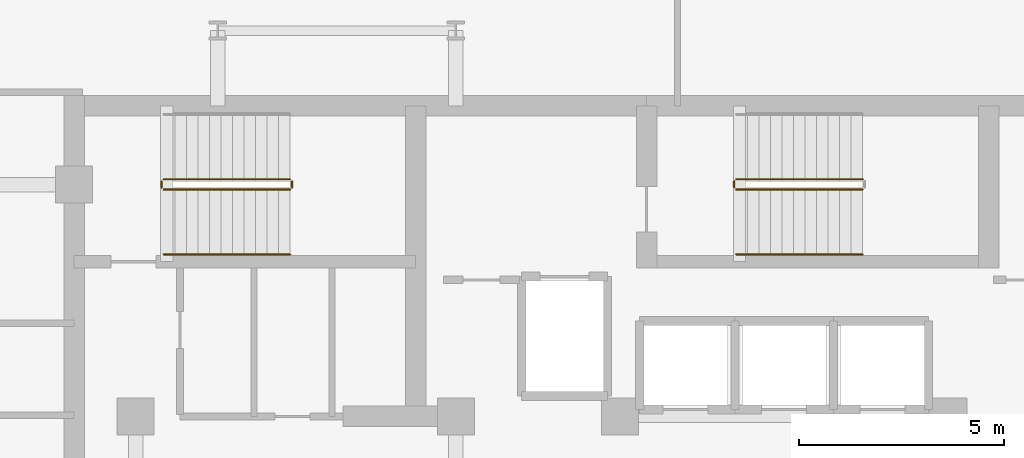
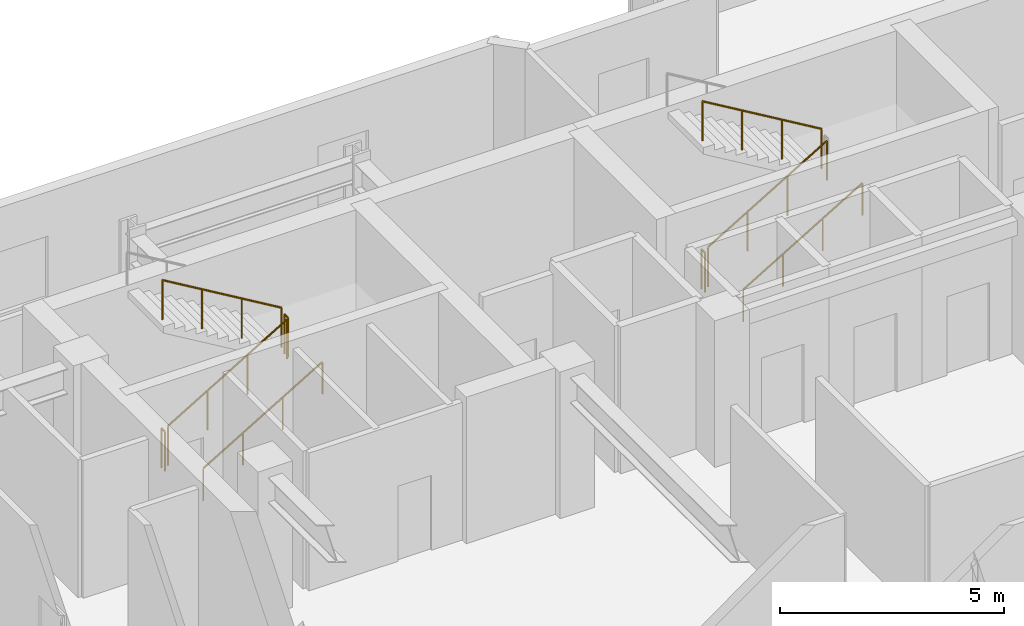
# One storey, part 9 of 11: 9 railings.
"""IFC4 building model written with IfcOpenShell, lengths in metres."""

from ifc_helpers import new_model, si_unit, direction, frame, origin, origin_2d, place, context, subcontext, project, spatial, circle, extrude, material, type_object, element, save


model = new_model("IFC4")

# Units and contexts
model_context = context("Model", 3, precision=1e-05, world=origin(), true_north=direction((0.0, 1.0)))
body_context = subcontext(model_context, "Body", "Model", "MODEL_VIEW")
ifc_project = project(units=[si_unit("LENGTHUNIT", "METRE"), si_unit("AREAUNIT", "SQUARE_METRE"), si_unit("VOLUMEUNIT", "CUBIC_METRE"), si_unit("PLANEANGLEUNIT", "RADIAN"), si_unit("MASSUNIT", "GRAM", prefix="KILO")], contexts=[model_context])

# Site, building, storey
site_placement = place(None, origin())
site = spatial("IfcSite", under=ifc_project, at=site_placement, CompositionType="ELEMENT")
building_placement = place(site_placement, origin())
building = spatial("IfcBuilding", under=site, at=building_placement, Name="Kestravale Grand Hotel", CompositionType="ELEMENT")
storey_placement = place(building_placement, frame((0.0, 0.0, 289.39990234375)))
storey = spatial("IfcBuildingStorey", under=building, at=storey_placement, Name="L72", CompositionType="ELEMENT", Elevation=289.39990234375)

# Railings
ifc_material_1 = material(Name="Painted tubular steel stair well guard", Category="steel")
railing_type_1 = type_object("IfcRailingType", Name="RL-ST-GRD1100", PredefinedType="GUARDRAIL", material=ifc_material_1)
railing_1_placement = place(storey_placement, frame((24.080078125, 38.280029296875, 0.166748046875)))
element("IfcRailing", 1, at=railing_1_placement, inside=storey, type_object=railing_type_1, Name="L72 ST-1 stair guard 1", PredefinedType="GUARDRAIL", context=body_context, shape_type="SweptSolid", body=[
    extrude(circle(Radius=0.02392578125, at=origin_2d()), frame((0.0, 0.0, 1.076171875), z_axis=(0.859290745958, 0.0, 0.51148745235), x_axis=(0.0, 1.0, 0.0)), (0.0, 0.0, 1.0), 3.584228515625),
    extrude(circle(Radius=0.02099609375, at=origin_2d()), origin(), (0.0, 0.0, 1.0), 1.052001953125),
    extrude(circle(Radius=0.02099609375, at=origin_2d()), frame((1.026611328125, 0.0, 0.611083984375)), (0.0, 0.0, 1.0), 1.052001953125),
    extrude(circle(Radius=0.02099609375, at=origin_2d()), frame((2.05322265625, 0.0, 1.22216796875)), (0.0, 0.0, 1.0), 1.052001953125),
    extrude(circle(Radius=0.02099609375, at=origin_2d()), frame((3.079833984375, 0.0, 1.833251953125)), (0.0, 0.0, 1.0), 1.052001953125),
])
railing_2_placement = place(storey_placement, frame((27.2099609375, 38.330078125, 2.0)))
element("IfcRailing", 2, at=railing_2_placement, inside=storey, type_object=railing_type_1, Name="L72 ST-1 stair guard 2", PredefinedType="GUARDRAIL", context=body_context, shape_type="SweptSolid", body=[
    extrude(circle(Radius=0.02392578125, at=origin_2d()), frame((0.0, 0.0, 1.076171875), z_axis=(0.0, 1.0, 0.0), x_axis=(-1.0, 0.0, 0.0)), (0.0, 0.0, 1.0), 0.14990234375),
    extrude(circle(Radius=0.02099609375, at=origin_2d()), origin(), (0.0, 0.0, 1.0), 1.052001953125),
    extrude(circle(Radius=0.02099609375, at=origin_2d()), frame((0.0, 0.14990234375, 0.0)), (0.0, 0.0, 1.0), 1.052001953125),
])
railing_3_placement = place(storey_placement, frame((27.159912109375, 38.530029296875, 2.166748046875)))
element("IfcRailing", 3, at=railing_3_placement, inside=storey, type_object=railing_type_1, Name="L72 ST-1 stair guard 3", PredefinedType="GUARDRAIL", context=body_context, shape_type="SweptSolid", body=[
    extrude(circle(Radius=0.02392578125, at=origin_2d()), frame((0.0, 0.0, 1.076171875), z_axis=(-0.859290745958, 0.0, 0.51148745235), x_axis=(0.0, -1.0, 0.0)), (0.0, 0.0, 1.0), 3.584228515625),
    extrude(circle(Radius=0.02099609375, at=origin_2d()), origin(), (0.0, 0.0, 1.0), 1.052001953125),
    extrude(circle(Radius=0.02099609375, at=origin_2d()), frame((-1.026611328125, 0.0, 0.611083984375)), (0.0, 0.0, 1.0), 1.052001953125),
    extrude(circle(Radius=0.02099609375, at=origin_2d()), frame((-2.05322265625, 0.0, 1.22216796875)), (0.0, 0.0, 1.0), 1.052001953125),
    extrude(circle(Radius=0.02099609375, at=origin_2d()), frame((-3.079833984375, 0.0, 1.833251953125)), (0.0, 0.0, 1.0), 1.052001953125),
])
railing_4_placement = place(storey_placement, frame((24.030029296875, 38.330078125, 0.0)))
element("IfcRailing", 4, at=railing_4_placement, inside=storey, type_object=railing_type_1, Name="L72 ST-1 stair guard 4", PredefinedType="GUARDRAIL", context=body_context, shape_type="SweptSolid", body=[
    extrude(circle(Radius=0.02392578125, at=origin_2d()), frame((0.0, 0.0, 1.076171875), z_axis=(0.0, 1.0, 0.0), x_axis=(-1.0, 0.0, 0.0)), (0.0, 0.0, 1.0), 0.14990234375),
    extrude(circle(Radius=0.02099609375, at=origin_2d()), origin(), (0.0, 0.0, 1.0), 1.052001953125),
    extrude(circle(Radius=0.02099609375, at=origin_2d()), frame((0.0, 0.14990234375, 0.0)), (0.0, 0.0, 1.0), 1.052001953125),
])
railing_5_placement = place(storey_placement, frame((38.030029296875, 38.280029296875, 0.166748046875)))
element("IfcRailing", 5, at=railing_5_placement, inside=storey, type_object=railing_type_1, Name="L72 ST-2 stair guard 1", PredefinedType="GUARDRAIL", context=body_context, shape_type="SweptSolid", body=[
    extrude(circle(Radius=0.02392578125, at=origin_2d()), frame((0.0, 0.0, 1.076171875), z_axis=(0.859308565015, 0.0, 0.511457515432), x_axis=(0.0, 1.0, 0.0)), (0.0, 0.0, 1.0), 3.58447265625),
    extrude(circle(Radius=0.02099609375, at=origin_2d()), origin(), (0.0, 0.0, 1.0), 1.052001953125),
    extrude(circle(Radius=0.02099609375, at=origin_2d()), frame((1.026611328125, 0.0, 0.611083984375)), (0.0, 0.0, 1.0), 1.052001953125),
    extrude(circle(Radius=0.02099609375, at=origin_2d()), frame((2.053466796875, 0.0, 1.22216796875)), (0.0, 0.0, 1.0), 1.052001953125),
    extrude(circle(Radius=0.02099609375, at=origin_2d()), frame((3.080078125, 0.0, 1.833251953125)), (0.0, 0.0, 1.0), 1.052001953125),
])
railing_6_placement = place(storey_placement, frame((41.110107421875, 38.530029296875, 2.166748046875)))
element("IfcRailing", 6, at=railing_6_placement, inside=storey, type_object=railing_type_1, Name="L72 ST-2 stair guard 3", PredefinedType="GUARDRAIL", context=body_context, shape_type="SweptSolid", body=[
    extrude(circle(Radius=0.02392578125, at=origin_2d()), frame((0.0, 0.0, 1.076171875), z_axis=(-0.859308565015, 0.0, 0.511457515432), x_axis=(0.0, -1.0, 0.0)), (0.0, 0.0, 1.0), 3.58447265625),
    extrude(circle(Radius=0.02099609375, at=origin_2d()), origin(), (0.0, 0.0, 1.0), 1.052001953125),
    extrude(circle(Radius=0.02099609375, at=origin_2d()), frame((-1.026611328125, 0.0, 0.611083984375)), (0.0, 0.0, 1.0), 1.052001953125),
    extrude(circle(Radius=0.02099609375, at=origin_2d()), frame((-2.053466796875, 0.0, 1.22216796875)), (0.0, 0.0, 1.0), 1.052001953125),
    extrude(circle(Radius=0.02099609375, at=origin_2d()), frame((-3.080078125, 0.0, 1.833251953125)), (0.0, 0.0, 1.0), 1.052001953125),
])
railing_7_placement = place(storey_placement, frame((37.97998046875, 38.330078125, 0.0)))
element("IfcRailing", 7, at=railing_7_placement, inside=storey, type_object=railing_type_1, Name="L72 ST-2 stair guard 4", PredefinedType="GUARDRAIL", context=body_context, shape_type="SweptSolid", body=[
    extrude(circle(Radius=0.02392578125, at=origin_2d()), frame((0.0, 0.0, 1.076171875), z_axis=(0.0, 1.0, 0.0), x_axis=(-1.0, 0.0, 0.0)), (0.0, 0.0, 1.0), 0.14990234375),
    extrude(circle(Radius=0.02099609375, at=origin_2d()), origin(), (0.0, 0.0, 1.0), 1.052001953125),
    extrude(circle(Radius=0.02099609375, at=origin_2d()), frame((0.0, 0.14990234375, 0.0)), (0.0, 0.0, 1.0), 1.052001953125),
])
ifc_material_2 = material(Name="Brushed stainless steel wall handrail", Category="steel")
railing_type_2 = type_object("IfcRailingType", Name="RL-ST-HND900", PredefinedType="HANDRAIL", material=ifc_material_2)
railing_8_placement = place(storey_placement, frame((24.080078125, 36.699951171875, 0.166748046875)))
element("IfcRailing", 8, at=railing_8_placement, inside=storey, type_object=railing_type_2, Name="L72 ST-1 stair handrail 1", PredefinedType="HANDRAIL", context=body_context, shape_type="SweptSolid", body=[
    extrude(circle(Radius=0.02392578125, at=origin_2d()), frame((0.0, 0.0, 0.8759765625), z_axis=(0.859290745958, 0.0, 0.51148745235), x_axis=(0.0, 1.0, 0.0)), (0.0, 0.0, 1.0), 3.584228515625),
    extrude(circle(Radius=0.02099609375, at=origin_2d()), origin(), (0.0, 0.0, 1.0), 0.851806640625),
    extrude(circle(Radius=0.02099609375, at=origin_2d()), frame((1.026611328125, 0.0, 0.611083984375)), (0.0, 0.0, 1.0), 0.851806640625),
    extrude(circle(Radius=0.02099609375, at=origin_2d()), frame((2.05322265625, 0.0, 1.22216796875)), (0.0, 0.0, 1.0), 0.851806640625),
    extrude(circle(Radius=0.02099609375, at=origin_2d()), frame((3.079833984375, 0.0, 1.833251953125)), (0.0, 0.0, 1.0), 0.851806640625),
])
railing_9_placement = place(storey_placement, frame((38.030029296875, 36.699951171875, 0.166748046875)))
element("IfcRailing", 9, at=railing_9_placement, inside=storey, type_object=railing_type_2, Name="L72 ST-2 stair handrail 1", PredefinedType="HANDRAIL", context=body_context, shape_type="SweptSolid", body=[
    extrude(circle(Radius=0.02392578125, at=origin_2d()), frame((0.0, 0.0, 0.8759765625), z_axis=(0.859308565015, 0.0, 0.511457515432), x_axis=(0.0, 1.0, 0.0)), (0.0, 0.0, 1.0), 3.58447265625),
    extrude(circle(Radius=0.02099609375, at=origin_2d()), origin(), (0.0, 0.0, 1.0), 0.851806640625),
    extrude(circle(Radius=0.02099609375, at=origin_2d()), frame((1.026611328125, 0.0, 0.611083984375)), (0.0, 0.0, 1.0), 0.851806640625),
    extrude(circle(Radius=0.02099609375, at=origin_2d()), frame((2.053466796875, 0.0, 1.22216796875)), (0.0, 0.0, 1.0), 0.851806640625),
    extrude(circle(Radius=0.02099609375, at=origin_2d()), frame((3.080078125, 0.0, 1.833251953125)), (0.0, 0.0, 1.0), 0.851806640625),
])

save(model, "model.ifc")
